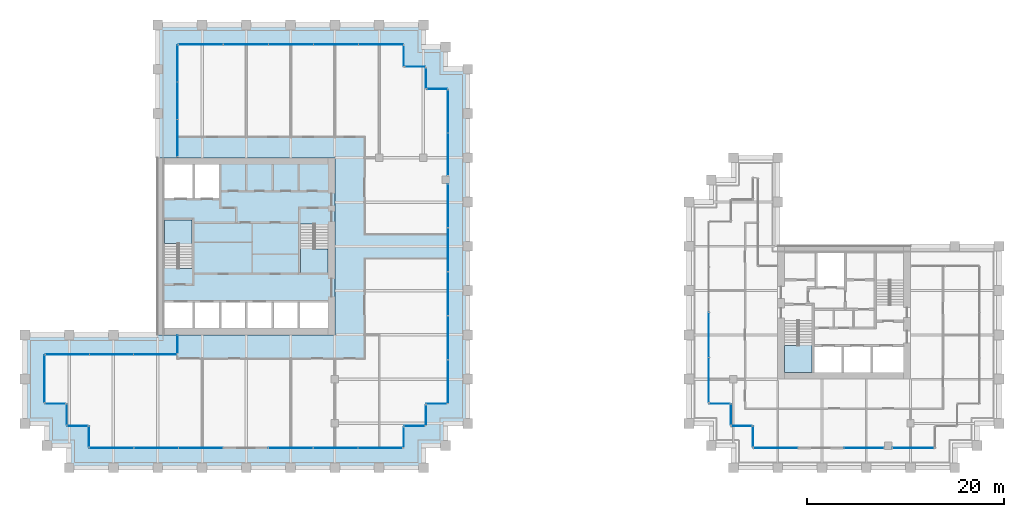
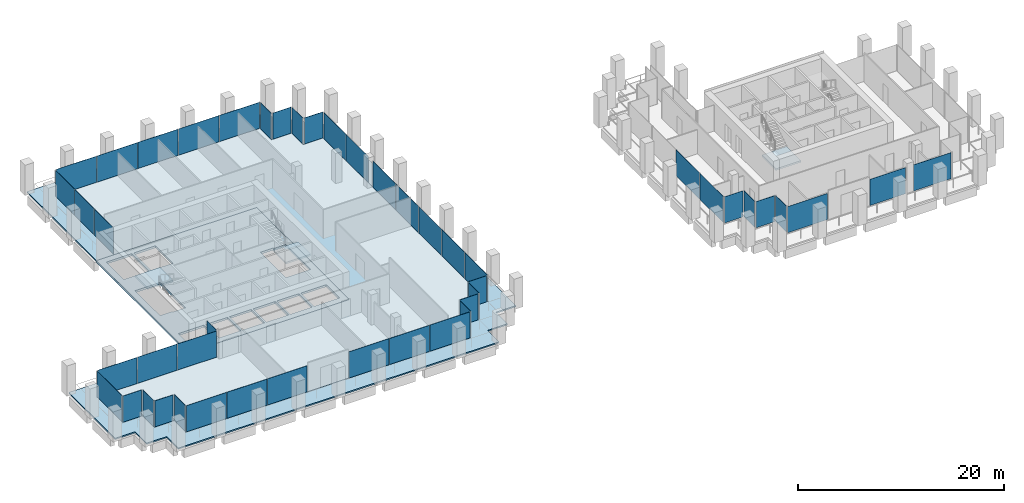
# One storey, part 39 of 46: 47 plates, 6 slabs, 32 elements without a shape of their own.
"""IFC4 building model written with IfcOpenShell, lengths in metres."""

from ifc_helpers import new_model, si_unit, direction, frame, origin, origin_2d, place, context, subcontext, project, spatial, polyline, rectangle, outline, extrude, material, layer, layer_set, type_object, element, aggregate, save


model = new_model("IFC4")

# Units and contexts
model_context = context("Model", 3, precision=1e-05, world=origin(), true_north=direction((0.0, 1.0)))
body_context = subcontext(model_context, "Body", "Model", "MODEL_VIEW")
ifc_project = project(units=[si_unit("LENGTHUNIT", "METRE"), si_unit("AREAUNIT", "SQUARE_METRE"), si_unit("VOLUMEUNIT", "CUBIC_METRE"), si_unit("PLANEANGLEUNIT", "RADIAN"), si_unit("MASSUNIT", "GRAM", prefix="KILO")], contexts=[model_context])

# Site, building, storey
site_placement = place(None, origin())
site = spatial("IfcSite", under=ifc_project, at=site_placement, CompositionType="ELEMENT")
building_placement = place(site_placement, origin())
building = spatial("IfcBuilding", under=site, at=building_placement, Name="Altepetl Exchange Towers", CompositionType="ELEMENT")
storey_placement = place(building_placement, frame((0.0, 0.0, 120.800048828125)))
storey = spatial("IfcBuildingStorey", under=building, at=storey_placement, Name="L29", CompositionType="ELEMENT", Elevation=120.800048828125)

# Slabs
ifc_material_1 = material(Name="Concrete C40/50", Category="concrete")
ifc_layer_1 = layer(ifc_material_1, 0.14990234375)
ifc_layer_set_1 = layer_set([ifc_layer_1], Name="Concrete C40/50")
slab_type_1 = type_object("IfcSlabType", Name="Composite floor slab 150", PredefinedType="FLOOR", material=ifc_layer_set_1)
slab_1_placement = place(storey_placement, frame((0.0, 0.0, -0.150146484375)))
element("IfcSlab", 1, at=slab_1_placement, inside=storey, type_object=slab_type_1, Name="slab:A:L29:strip0", PredefinedType="FLOOR", context=body_context, shape_type="SweptSolid", body=[
    extrude(outline(polyline([(42.5, 70.0), (42.5, 58.5), (58.5, 58.5), (58.5, 40.5), (42.5, 40.5), (42.5, 38.5), (29.0, 38.5), (29.0, 33.5), (31.25, 33.5), (31.25, 31.25), (33.5, 31.25), (33.5, 29.0), (65.5, 29.0), (65.5, 31.25), (67.75, 31.25), (67.75, 33.5), (70.0, 33.5), (70.0, 65.5), (67.75, 65.5), (67.75, 67.75), (65.5, 67.75), (65.5, 70.0), (42.5, 70.0)])), origin(), (0.0, 0.0, 1.0), 0.150146484375),
])
ifc_layer_2 = layer(ifc_material_1, 0.25)
ifc_layer_set_2 = layer_set([ifc_layer_2], Name="Concrete C40/50")
slab_type_2 = type_object("IfcSlabType", Name="Core floor slab 250", PredefinedType="FLOOR", material=ifc_layer_set_2)
slab_2_placement = place(storey_placement, frame((0.0, 0.0, -0.25)))
element("IfcSlab", 2, at=slab_2_placement, inside=storey, type_object=slab_type_2, Name="slab:A:L29:core0", PredefinedType="FLOOR", context=body_context, shape_type="SweptSolid", body=[
    extrude(outline(polyline([(40.5, 40.5), (58.5, 40.5), (58.5, 58.5), (40.5, 58.5), (40.5, 40.5)]), holes=[polyline([(41.199951171875, 43.800048828125), (44.06689453125, 43.800048828125), (44.06689453125, 41.199951171875), (41.199951171875, 41.199951171875), (41.199951171875, 43.800048828125)]), polyline([(44.26708984375, 43.800048828125), (46.73291015625, 43.800048828125), (46.73291015625, 41.199951171875), (44.26708984375, 41.199951171875), (44.26708984375, 43.800048828125)]), polyline([(46.93310546875, 43.800048828125), (49.39990234375, 43.800048828125), (49.39990234375, 41.199951171875), (46.93310546875, 41.199951171875), (46.93310546875, 43.800048828125)]), polyline([(52.06689453125, 43.800048828125), (52.06689453125, 41.199951171875), (49.60009765625, 41.199951171875), (49.60009765625, 43.800048828125), (52.06689453125, 43.800048828125)]), polyline([(54.73291015625, 43.800048828125), (54.73291015625, 41.199951171875), (52.26708984375, 41.199951171875), (52.26708984375, 43.800048828125), (54.73291015625, 43.800048828125)]), polyline([(54.93310546875, 43.800048828125), (57.800048828125, 43.800048828125), (57.800048828125, 41.199951171875), (54.93310546875, 41.199951171875), (54.93310546875, 43.800048828125)]), polyline([(55.0, 51.7490234375), (56.449951171875, 51.7490234375), (56.449951171875, 51.64990234375), (57.800048828125, 51.64990234375), (57.800048828125, 46.800048828125), (55.0, 46.800048828125), (55.0, 51.7490234375)]), polyline([(44.0, 47.2509765625), (42.550048828125, 47.2509765625), (42.550048828125, 47.35009765625), (41.199951171875, 47.35009765625), (41.199951171875, 52.199951171875), (44.0, 52.199951171875), (44.0, 47.2509765625)]), polyline([(44.06689453125, 57.800048828125), (44.06689453125, 54.39990234375), (41.199951171875, 54.39990234375), (41.199951171875, 57.800048828125), (44.06689453125, 57.800048828125)]), polyline([(46.73291015625, 57.800048828125), (46.73291015625, 54.39990234375), (44.26708984375, 54.39990234375), (44.26708984375, 57.800048828125), (46.73291015625, 57.800048828125)])]), origin(), (0.0, 0.0, 1.0), 0.25),
])

# Curtain wall, plate
ifc_material_2 = material(Name="Aluminium 6063-T6 glazing", Category="aluminium")
curtain_wall_type = type_object("IfcCurtainWallType", Name="Loggia glazing system", PredefinedType="NOTDEFINED", material=ifc_material_2)
curtain_wall_1_placement = place(storey_placement, origin())
curtain_wall_1 = element("IfcCurtainWall", 3, at=curtain_wall_1_placement, inside=storey, type_object=curtain_wall_type, Name="CW1 run", PredefinedType="NOTDEFINED")
ifc_material_3 = material(Name="Glass 6-16-6 low emissivity", Category="glass")
ifc_layer_3 = layer(ifc_material_3, 0.028076171875)
ifc_layer_set_3 = layer_set([ifc_layer_3], Name="Glass 6-16-6 low emissivity")
plate_type = type_object("IfcPlateType", Name="Glass panel 28 double glazed", PredefinedType="CURTAIN_PANEL", material=ifc_layer_set_3)
plate_1_placement = place(storey_placement, frame((42.5, 39.53759765625, 0.0), z_axis=(0.0, 0.0, 1.0), x_axis=(0.0, -1.0, 0.0)))
plate_1 = element("IfcPlate", 4, at=plate_1_placement, type_object=plate_type, Name="GP1 panel", PredefinedType="CURTAIN_PANEL", context=body_context, shape_type="SweptSolid", body=[
    extrude(rectangle(XDim=1.804931640625, YDim=0.028076171875, at=origin_2d()), origin(), (0.0, 0.0, 1.0), 3.10009765625),
])
aggregate(curtain_wall_1, [plate_1])

# Curtain wall, plates
curtain_wall_2_placement = place(storey_placement, origin())
curtain_wall_2 = element("IfcCurtainWall", 5, at=curtain_wall_2_placement, inside=storey, type_object=curtain_wall_type, Name="CW1 run", PredefinedType="NOTDEFINED")
plate_2_placement = place(storey_placement, frame((40.24755859375, 38.5, 0.0), z_axis=(0.0, 0.0, 1.0), x_axis=(-1.0, 0.0, 0.0)))
plate_2 = element("IfcPlate", 6, at=plate_2_placement, type_object=plate_type, Name="GP1 panel", PredefinedType="CURTAIN_PANEL", context=body_context, shape_type="SweptSolid", body=[
    extrude(rectangle(XDim=4.385009765625, YDim=0.028076171875, at=origin_2d()), origin(), (0.0, 0.0, 1.0), 3.10009765625),
])
plate_3_placement = place(storey_placement, frame((35.78759765625, 38.5, 0.0), z_axis=(0.0, 0.0, 1.0), x_axis=(-1.0, 0.0, 0.0)))
plate_3 = element("IfcPlate", 7, at=plate_3_placement, type_object=plate_type, Name="GP1 panel", PredefinedType="CURTAIN_PANEL", context=body_context, shape_type="SweptSolid", body=[
    extrude(rectangle(XDim=4.4150390625, YDim=0.028076171875, at=origin_2d()), origin(), (0.0, 0.0, 1.0), 3.10009765625),
])
plate_4_placement = place(storey_placement, frame((31.327392578125, 38.5, 0.0), z_axis=(0.0, 0.0, 1.0), x_axis=(-1.0, 0.0, 0.0)))
plate_4 = element("IfcPlate", 8, at=plate_4_placement, type_object=plate_type, Name="GP1 panel", PredefinedType="CURTAIN_PANEL", context=body_context, shape_type="SweptSolid", body=[
    extrude(rectangle(XDim=4.385009765625, YDim=0.028076171875, at=origin_2d()), origin(), (0.0, 0.0, 1.0), 3.10009765625),
])
aggregate(curtain_wall_2, [plate_2, plate_3, plate_4])

# Curtain wall, plate
curtain_wall_3_placement = place(storey_placement, origin())
curtain_wall_3 = element("IfcCurtainWall", 9, at=curtain_wall_3_placement, inside=storey, type_object=curtain_wall_type, Name="CW1 run", PredefinedType="NOTDEFINED")
plate_5_placement = place(storey_placement, frame((29.0, 36.03759765625, 0.0), z_axis=(0.0, 0.0, 1.0), x_axis=(0.0, -1.0, 0.0)))
plate_5 = element("IfcPlate", 10, at=plate_5_placement, type_object=plate_type, Name="GP1 panel", PredefinedType="CURTAIN_PANEL", context=body_context, shape_type="SweptSolid", body=[
    extrude(rectangle(XDim=4.804931640625, YDim=0.028076171875, at=origin_2d()), origin(), (0.0, 0.0, 1.0), 3.10009765625),
])
aggregate(curtain_wall_3, [plate_5])

curtain_wall_4_placement = place(storey_placement, origin())
curtain_wall_4 = element("IfcCurtainWall", 11, at=curtain_wall_4_placement, inside=storey, type_object=curtain_wall_type, Name="CW1 run", PredefinedType="NOTDEFINED")
plate_6_placement = place(storey_placement, frame((30.08740234375, 33.5, 0.0)))
plate_6 = element("IfcPlate", 12, at=plate_6_placement, type_object=plate_type, Name="GP1 panel", PredefinedType="CURTAIN_PANEL", context=body_context, shape_type="SweptSolid", body=[
    extrude(rectangle(XDim=2.054931640625, YDim=0.028076171875, at=origin_2d()), origin(), (0.0, 0.0, 1.0), 3.10009765625),
])
aggregate(curtain_wall_4, [plate_6])

curtain_wall_5_placement = place(storey_placement, origin())
curtain_wall_5 = element("IfcCurtainWall", 13, at=curtain_wall_5_placement, inside=storey, type_object=curtain_wall_type, Name="CW1 run", PredefinedType="NOTDEFINED")
plate_7_placement = place(storey_placement, frame((31.25, 32.41259765625, 0.0), z_axis=(0.0, 0.0, 1.0), x_axis=(0.0, -1.0, 0.0)))
plate_7 = element("IfcPlate", 14, at=plate_7_placement, type_object=plate_type, Name="GP1 panel", PredefinedType="CURTAIN_PANEL", context=body_context, shape_type="SweptSolid", body=[
    extrude(rectangle(XDim=2.054931640625, YDim=0.028076171875, at=origin_2d()), origin(), (0.0, 0.0, 1.0), 3.10009765625),
])
aggregate(curtain_wall_5, [plate_7])

curtain_wall_6_placement = place(storey_placement, origin())
curtain_wall_6 = element("IfcCurtainWall", 15, at=curtain_wall_6_placement, inside=storey, type_object=curtain_wall_type, Name="CW1 run", PredefinedType="NOTDEFINED")
plate_8_placement = place(storey_placement, frame((32.33740234375, 31.25, 0.0)))
plate_8 = element("IfcPlate", 16, at=plate_8_placement, type_object=plate_type, Name="GP1 panel", PredefinedType="CURTAIN_PANEL", context=body_context, shape_type="SweptSolid", body=[
    extrude(rectangle(XDim=2.054931640625, YDim=0.028076171875, at=origin_2d()), origin(), (0.0, 0.0, 1.0), 3.10009765625),
])
aggregate(curtain_wall_6, [plate_8])

curtain_wall_7_placement = place(storey_placement, origin())
curtain_wall_7 = element("IfcCurtainWall", 17, at=curtain_wall_7_placement, inside=storey, type_object=curtain_wall_type, Name="CW1 run", PredefinedType="NOTDEFINED")
plate_9_placement = place(storey_placement, frame((33.5, 30.16259765625, 0.0), z_axis=(0.0, 0.0, 1.0), x_axis=(0.0, -1.0, 0.0)))
plate_9 = element("IfcPlate", 18, at=plate_9_placement, type_object=plate_type, Name="GP1 panel", PredefinedType="CURTAIN_PANEL", context=body_context, shape_type="SweptSolid", body=[
    extrude(rectangle(XDim=2.054931640625, YDim=0.028076171875, at=origin_2d()), origin(), (0.0, 0.0, 1.0), 3.10009765625),
])
aggregate(curtain_wall_7, [plate_9])

# Curtain wall, plates
curtain_wall_8_placement = place(storey_placement, origin())
curtain_wall_8 = element("IfcCurtainWall", 19, at=curtain_wall_8_placement, inside=storey, type_object=curtain_wall_type, Name="CW1 run", PredefinedType="NOTDEFINED")
plate_10_placement = place(storey_placement, frame((35.79541015625, 29.0, 0.0)))
plate_10 = element("IfcPlate", 20, at=plate_10_placement, type_object=plate_type, Name="GP1 panel", PredefinedType="CURTAIN_PANEL", context=body_context, shape_type="SweptSolid", body=[
    extrude(rectangle(XDim=4.470703125, YDim=0.028076171875, at=origin_2d()), origin(), (0.0, 0.0, 1.0), 3.10009765625),
])
plate_11_placement = place(storey_placement, frame((40.341064453125, 29.0, 0.0)))
plate_11 = element("IfcPlate", 21, at=plate_11_placement, type_object=plate_type, Name="GP1 panel", PredefinedType="CURTAIN_PANEL", context=body_context, shape_type="SweptSolid", body=[
    extrude(rectangle(XDim=4.500732421875, YDim=0.028076171875, at=origin_2d()), origin(), (0.0, 0.0, 1.0), 3.10009765625),
])
plate_12_placement = place(storey_placement, frame((44.88671875, 29.0, 0.0)))
plate_12 = element("IfcPlate", 22, at=plate_12_placement, type_object=plate_type, Name="GP1 panel", PredefinedType="CURTAIN_PANEL", context=body_context, shape_type="SweptSolid", body=[
    extrude(rectangle(XDim=4.470703125, YDim=0.028076171875, at=origin_2d()), origin(), (0.0, 0.0, 1.0), 3.10009765625),
])
aggregate(curtain_wall_8, [plate_10, plate_11, plate_12])

curtain_wall_9_placement = place(storey_placement, origin())
curtain_wall_9 = element("IfcCurtainWall", 23, at=curtain_wall_9_placement, inside=storey, type_object=curtain_wall_type, Name="CW1 run", PredefinedType="NOTDEFINED")
plate_13_placement = place(storey_placement, frame((54.038330078125, 29.0, 0.0)))
plate_13 = element("IfcPlate", 24, at=plate_13_placement, type_object=plate_type, Name="GP1 panel", PredefinedType="CURTAIN_PANEL", context=body_context, shape_type="SweptSolid", body=[
    extrude(rectangle(XDim=4.470703125, YDim=0.028076171875, at=origin_2d()), origin(), (0.0, 0.0, 1.0), 3.10009765625),
])
plate_14_placement = place(storey_placement, frame((58.583984375, 29.0, 0.0)))
plate_14 = element("IfcPlate", 25, at=plate_14_placement, type_object=plate_type, Name="GP1 panel", PredefinedType="CURTAIN_PANEL", context=body_context, shape_type="SweptSolid", body=[
    extrude(rectangle(XDim=4.500732421875, YDim=0.028076171875, at=origin_2d()), origin(), (0.0, 0.0, 1.0), 3.10009765625),
])
plate_15_placement = place(storey_placement, frame((63.129638671875, 29.0, 0.0)))
plate_15 = element("IfcPlate", 26, at=plate_15_placement, type_object=plate_type, Name="GP1 panel", PredefinedType="CURTAIN_PANEL", context=body_context, shape_type="SweptSolid", body=[
    extrude(rectangle(XDim=4.470703125, YDim=0.028076171875, at=origin_2d()), origin(), (0.0, 0.0, 1.0), 3.10009765625),
])
aggregate(curtain_wall_9, [plate_13, plate_14, plate_15])

# Curtain wall, plate
curtain_wall_10_placement = place(storey_placement, origin())
curtain_wall_10 = element("IfcCurtainWall", 27, at=curtain_wall_10_placement, inside=storey, type_object=curtain_wall_type, Name="CW1 run", PredefinedType="NOTDEFINED")
plate_16_placement = place(storey_placement, frame((65.5, 30.08740234375, 0.0), z_axis=(0.0, 0.0, 1.0), x_axis=(0.0, 1.0, 0.0)))
plate_16 = element("IfcPlate", 28, at=plate_16_placement, type_object=plate_type, Name="GP1 panel", PredefinedType="CURTAIN_PANEL", context=body_context, shape_type="SweptSolid", body=[
    extrude(rectangle(XDim=2.054931640625, YDim=0.028076171875, at=origin_2d()), origin(), (0.0, 0.0, 1.0), 3.10009765625),
])
aggregate(curtain_wall_10, [plate_16])

curtain_wall_11_placement = place(storey_placement, origin())
curtain_wall_11 = element("IfcCurtainWall", 29, at=curtain_wall_11_placement, inside=storey, type_object=curtain_wall_type, Name="CW1 run", PredefinedType="NOTDEFINED")
plate_17_placement = place(storey_placement, frame((66.58740234375, 31.25, 0.0)))
plate_17 = element("IfcPlate", 30, at=plate_17_placement, type_object=plate_type, Name="GP1 panel", PredefinedType="CURTAIN_PANEL", context=body_context, shape_type="SweptSolid", body=[
    extrude(rectangle(XDim=2.054931640625, YDim=0.028076171875, at=origin_2d()), origin(), (0.0, 0.0, 1.0), 3.10009765625),
])
aggregate(curtain_wall_11, [plate_17])

curtain_wall_12_placement = place(storey_placement, origin())
curtain_wall_12 = element("IfcCurtainWall", 31, at=curtain_wall_12_placement, inside=storey, type_object=curtain_wall_type, Name="CW1 run", PredefinedType="NOTDEFINED")
plate_18_placement = place(storey_placement, frame((67.75, 32.33740234375, 0.0), z_axis=(0.0, 0.0, 1.0), x_axis=(0.0, 1.0, 0.0)))
plate_18 = element("IfcPlate", 32, at=plate_18_placement, type_object=plate_type, Name="GP1 panel", PredefinedType="CURTAIN_PANEL", context=body_context, shape_type="SweptSolid", body=[
    extrude(rectangle(XDim=2.054931640625, YDim=0.028076171875, at=origin_2d()), origin(), (0.0, 0.0, 1.0), 3.10009765625),
])
aggregate(curtain_wall_12, [plate_18])

curtain_wall_13_placement = place(storey_placement, origin())
curtain_wall_13 = element("IfcCurtainWall", 33, at=curtain_wall_13_placement, inside=storey, type_object=curtain_wall_type, Name="CW1 run", PredefinedType="NOTDEFINED")
plate_19_placement = place(storey_placement, frame((68.83740234375, 33.5, 0.0)))
plate_19 = element("IfcPlate", 34, at=plate_19_placement, type_object=plate_type, Name="GP1 panel", PredefinedType="CURTAIN_PANEL", context=body_context, shape_type="SweptSolid", body=[
    extrude(rectangle(XDim=2.054931640625, YDim=0.028076171875, at=origin_2d()), origin(), (0.0, 0.0, 1.0), 3.10009765625),
])
aggregate(curtain_wall_13, [plate_19])

# Curtain wall, plates
curtain_wall_14_placement = place(storey_placement, origin())
curtain_wall_14 = element("IfcCurtainWall", 35, at=curtain_wall_14_placement, inside=storey, type_object=curtain_wall_type, Name="CW1 run", PredefinedType="NOTDEFINED")
plate_20_placement = place(storey_placement, frame((70.0, 35.75048828125, 0.0), z_axis=(0.0, 0.0, 1.0), x_axis=(0.0, 1.0, 0.0)))
plate_20 = element("IfcPlate", 36, at=plate_20_placement, type_object=plate_type, Name="GP1 panel", PredefinedType="CURTAIN_PANEL", context=body_context, shape_type="SweptSolid", body=[
    extrude(rectangle(XDim=4.381103515625, YDim=0.028076171875, at=origin_2d()), origin(), (0.0, 0.0, 1.0), 3.10009765625),
])
plate_21_placement = place(storey_placement, frame((70.0, 40.20654296875, 0.0), z_axis=(0.0, 0.0, 1.0), x_axis=(0.0, 1.0, 0.0)))
plate_21 = element("IfcPlate", 37, at=plate_21_placement, type_object=plate_type, Name="GP1 panel", PredefinedType="CURTAIN_PANEL", context=body_context, shape_type="SweptSolid", body=[
    extrude(rectangle(XDim=4.410888671875, YDim=0.028076171875, at=origin_2d()), origin(), (0.0, 0.0, 1.0), 3.10009765625),
])
plate_22_placement = place(storey_placement, frame((70.0, 44.677490234375, 0.0), z_axis=(0.0, 0.0, 1.0), x_axis=(0.0, 1.0, 0.0)))
plate_22 = element("IfcPlate", 38, at=plate_22_placement, type_object=plate_type, Name="GP1 panel", PredefinedType="CURTAIN_PANEL", context=body_context, shape_type="SweptSolid", body=[
    extrude(rectangle(XDim=4.410888671875, YDim=0.028076171875, at=origin_2d()), origin(), (0.0, 0.0, 1.0), 3.10009765625),
])
plate_23_placement = place(storey_placement, frame((70.0, 49.1484375, 0.0), z_axis=(0.0, 0.0, 1.0), x_axis=(0.0, 1.0, 0.0)))
plate_23 = element("IfcPlate", 39, at=plate_23_placement, type_object=plate_type, Name="GP1 panel", PredefinedType="CURTAIN_PANEL", context=body_context, shape_type="SweptSolid", body=[
    extrude(rectangle(XDim=4.410888671875, YDim=0.028076171875, at=origin_2d()), origin(), (0.0, 0.0, 1.0), 3.10009765625),
])
plate_24_placement = place(storey_placement, frame((70.0, 53.6044921875, 0.0), z_axis=(0.0, 0.0, 1.0), x_axis=(0.0, 1.0, 0.0)))
plate_24 = element("IfcPlate", 40, at=plate_24_placement, type_object=plate_type, Name="GP1 panel", PredefinedType="CURTAIN_PANEL", context=body_context, shape_type="SweptSolid", body=[
    extrude(rectangle(XDim=4.381103515625, YDim=0.028076171875, at=origin_2d()), origin(), (0.0, 0.0, 1.0), 3.10009765625),
])
aggregate(curtain_wall_14, [plate_20, plate_21, plate_22, plate_23, plate_24])

curtain_wall_15_placement = place(storey_placement, origin())
curtain_wall_15 = element("IfcCurtainWall", 41, at=curtain_wall_15_placement, inside=storey, type_object=curtain_wall_type, Name="CW1 run", PredefinedType="NOTDEFINED")
plate_25_placement = place(storey_placement, frame((70.0, 58.85498046875, 0.0), z_axis=(0.0, 0.0, 1.0), x_axis=(0.0, 1.0, 0.0)))
plate_25 = element("IfcPlate", 42, at=plate_25_placement, type_object=plate_type, Name="GP1 panel", PredefinedType="CURTAIN_PANEL", context=body_context, shape_type="SweptSolid", body=[
    extrude(rectangle(XDim=4.300048828125, YDim=0.028076171875, at=origin_2d()), origin(), (0.0, 0.0, 1.0), 3.10009765625),
])
plate_26_placement = place(storey_placement, frame((70.0, 63.215087890625, 0.0), z_axis=(0.0, 0.0, 1.0), x_axis=(0.0, 1.0, 0.0)))
plate_26 = element("IfcPlate", 43, at=plate_26_placement, type_object=plate_type, Name="GP1 panel", PredefinedType="CURTAIN_PANEL", context=body_context, shape_type="SweptSolid", body=[
    extrude(rectangle(XDim=4.300048828125, YDim=0.028076171875, at=origin_2d()), origin(), (0.0, 0.0, 1.0), 3.10009765625),
])
aggregate(curtain_wall_15, [plate_25, plate_26])

# Curtain wall, plate
curtain_wall_16_placement = place(storey_placement, origin())
curtain_wall_16 = element("IfcCurtainWall", 44, at=curtain_wall_16_placement, inside=storey, type_object=curtain_wall_type, Name="CW1 run", PredefinedType="NOTDEFINED")
plate_27_placement = place(storey_placement, frame((68.91259765625, 65.5, 0.0), z_axis=(0.0, 0.0, 1.0), x_axis=(-1.0, 0.0, 0.0)))
plate_27 = element("IfcPlate", 45, at=plate_27_placement, type_object=plate_type, Name="GP1 panel", PredefinedType="CURTAIN_PANEL", context=body_context, shape_type="SweptSolid", body=[
    extrude(rectangle(XDim=2.054931640625, YDim=0.028076171875, at=origin_2d()), origin(), (0.0, 0.0, 1.0), 3.10009765625),
])
aggregate(curtain_wall_16, [plate_27])

curtain_wall_17_placement = place(storey_placement, origin())
curtain_wall_17 = element("IfcCurtainWall", 46, at=curtain_wall_17_placement, inside=storey, type_object=curtain_wall_type, Name="CW1 run", PredefinedType="NOTDEFINED")
plate_28_placement = place(storey_placement, frame((67.75, 66.58740234375, 0.0), z_axis=(0.0, 0.0, 1.0), x_axis=(0.0, 1.0, 0.0)))
plate_28 = element("IfcPlate", 47, at=plate_28_placement, type_object=plate_type, Name="GP1 panel", PredefinedType="CURTAIN_PANEL", context=body_context, shape_type="SweptSolid", body=[
    extrude(rectangle(XDim=2.054931640625, YDim=0.028076171875, at=origin_2d()), origin(), (0.0, 0.0, 1.0), 3.10009765625),
])
aggregate(curtain_wall_17, [plate_28])

curtain_wall_18_placement = place(storey_placement, origin())
curtain_wall_18 = element("IfcCurtainWall", 48, at=curtain_wall_18_placement, inside=storey, type_object=curtain_wall_type, Name="CW1 run", PredefinedType="NOTDEFINED")
plate_29_placement = place(storey_placement, frame((66.66259765625, 67.75, 0.0), z_axis=(0.0, 0.0, 1.0), x_axis=(-1.0, 0.0, 0.0)))
plate_29 = element("IfcPlate", 49, at=plate_29_placement, type_object=plate_type, Name="GP1 panel", PredefinedType="CURTAIN_PANEL", context=body_context, shape_type="SweptSolid", body=[
    extrude(rectangle(XDim=2.054931640625, YDim=0.028076171875, at=origin_2d()), origin(), (0.0, 0.0, 1.0), 3.10009765625),
])
aggregate(curtain_wall_18, [plate_29])

curtain_wall_19_placement = place(storey_placement, origin())
curtain_wall_19 = element("IfcCurtainWall", 50, at=curtain_wall_19_placement, inside=storey, type_object=curtain_wall_type, Name="CW1 run", PredefinedType="NOTDEFINED")
plate_30_placement = place(storey_placement, frame((65.5, 68.83740234375, 0.0), z_axis=(0.0, 0.0, 1.0), x_axis=(0.0, 1.0, 0.0)))
plate_30 = element("IfcPlate", 51, at=plate_30_placement, type_object=plate_type, Name="GP1 panel", PredefinedType="CURTAIN_PANEL", context=body_context, shape_type="SweptSolid", body=[
    extrude(rectangle(XDim=2.054931640625, YDim=0.028076171875, at=origin_2d()), origin(), (0.0, 0.0, 1.0), 3.10009765625),
])
aggregate(curtain_wall_19, [plate_30])

# Curtain wall, plates
curtain_wall_20_placement = place(storey_placement, origin())
curtain_wall_20 = element("IfcCurtainWall", 52, at=curtain_wall_20_placement, inside=storey, type_object=curtain_wall_type, Name="CW1 run", PredefinedType="NOTDEFINED")
plate_31_placement = place(storey_placement, frame((63.1923828125, 70.0, 0.0), z_axis=(0.0, 0.0, 1.0), x_axis=(-1.0, 0.0, 0.0)))
plate_31 = element("IfcPlate", 53, at=plate_31_placement, type_object=plate_type, Name="GP1 panel", PredefinedType="CURTAIN_PANEL", context=body_context, shape_type="SweptSolid", body=[
    extrude(rectangle(XDim=4.4951171875, YDim=0.028076171875, at=origin_2d()), origin(), (0.0, 0.0, 1.0), 3.10009765625),
])
plate_32_placement = place(storey_placement, frame((58.62255859375, 70.0, 0.0), z_axis=(0.0, 0.0, 1.0), x_axis=(-1.0, 0.0, 0.0)))
plate_32 = element("IfcPlate", 54, at=plate_32_placement, type_object=plate_type, Name="GP1 panel", PredefinedType="CURTAIN_PANEL", context=body_context, shape_type="SweptSolid", body=[
    extrude(rectangle(XDim=4.52490234375, YDim=0.028076171875, at=origin_2d()), origin(), (0.0, 0.0, 1.0), 3.10009765625),
])
plate_33_placement = place(storey_placement, frame((54.03759765625, 70.0, 0.0), z_axis=(0.0, 0.0, 1.0), x_axis=(-1.0, 0.0, 0.0)))
plate_33 = element("IfcPlate", 55, at=plate_33_placement, type_object=plate_type, Name="GP1 panel", PredefinedType="CURTAIN_PANEL", context=body_context, shape_type="SweptSolid", body=[
    extrude(rectangle(XDim=4.52490234375, YDim=0.028076171875, at=origin_2d()), origin(), (0.0, 0.0, 1.0), 3.10009765625),
])
plate_34_placement = place(storey_placement, frame((49.452392578125, 70.0, 0.0), z_axis=(0.0, 0.0, 1.0), x_axis=(-1.0, 0.0, 0.0)))
plate_34 = element("IfcPlate", 56, at=plate_34_placement, type_object=plate_type, Name="GP1 panel", PredefinedType="CURTAIN_PANEL", context=body_context, shape_type="SweptSolid", body=[
    extrude(rectangle(XDim=4.52490234375, YDim=0.028076171875, at=origin_2d()), origin(), (0.0, 0.0, 1.0), 3.10009765625),
])
plate_35_placement = place(storey_placement, frame((44.882568359375, 70.0, 0.0), z_axis=(0.0, 0.0, 1.0), x_axis=(-1.0, 0.0, 0.0)))
plate_35 = element("IfcPlate", 57, at=plate_35_placement, type_object=plate_type, Name="GP1 panel", PredefinedType="CURTAIN_PANEL", context=body_context, shape_type="SweptSolid", body=[
    extrude(rectangle(XDim=4.4951171875, YDim=0.028076171875, at=origin_2d()), origin(), (0.0, 0.0, 1.0), 3.10009765625),
])
aggregate(curtain_wall_20, [plate_31, plate_32, plate_33, plate_34, plate_35])

curtain_wall_21_placement = place(storey_placement, origin())
curtain_wall_21 = element("IfcCurtainWall", 58, at=curtain_wall_21_placement, inside=storey, type_object=curtain_wall_type, Name="CW1 run", PredefinedType="NOTDEFINED")
plate_36_placement = place(storey_placement, frame((42.5, 68.080810546875, 0.0), z_axis=(0.0, 0.0, 1.0), x_axis=(0.0, -1.0, 0.0)))
plate_36 = element("IfcPlate", 59, at=plate_36_placement, type_object=plate_type, Name="GP1 panel", PredefinedType="CURTAIN_PANEL", context=body_context, shape_type="SweptSolid", body=[
    extrude(rectangle(XDim=3.71826171875, YDim=0.028076171875, at=origin_2d()), origin(), (0.0, 0.0, 1.0), 3.10009765625),
])
plate_37_placement = place(storey_placement, frame((42.5, 64.28759765625, 0.0), z_axis=(0.0, 0.0, 1.0), x_axis=(0.0, -1.0, 0.0)))
plate_37 = element("IfcPlate", 60, at=plate_37_placement, type_object=plate_type, Name="GP1 panel", PredefinedType="CURTAIN_PANEL", context=body_context, shape_type="SweptSolid", body=[
    extrude(rectangle(XDim=3.748291015625, YDim=0.028076171875, at=origin_2d()), origin(), (0.0, 0.0, 1.0), 3.10009765625),
])
plate_38_placement = place(storey_placement, frame((42.5, 60.494140625, 0.0), z_axis=(0.0, 0.0, 1.0), x_axis=(0.0, -1.0, 0.0)))
plate_38 = element("IfcPlate", 61, at=plate_38_placement, type_object=plate_type, Name="GP1 panel", PredefinedType="CURTAIN_PANEL", context=body_context, shape_type="SweptSolid", body=[
    extrude(rectangle(XDim=3.71826171875, YDim=0.028076171875, at=origin_2d()), origin(), (0.0, 0.0, 1.0), 3.10009765625),
])
aggregate(curtain_wall_21, [plate_36, plate_37, plate_38])

curtain_wall_22_placement = place(storey_placement, origin())
curtain_wall_22 = element("IfcCurtainWall", 62, at=curtain_wall_22_placement, inside=storey, type_object=curtain_wall_type, Name="CW1 run", PredefinedType="NOTDEFINED")
plate_39_placement = place(storey_placement, frame((96.5, 40.484375, 0.0), z_axis=(0.0, 0.0, 1.0), x_axis=(0.0, -1.0, 0.0)))
plate_39 = element("IfcPlate", 63, at=plate_39_placement, type_object=plate_type, Name="GP1 panel", PredefinedType="CURTAIN_PANEL", context=body_context, shape_type="SweptSolid", body=[
    extrude(rectangle(XDim=4.546142578125, YDim=0.028076171875, at=origin_2d()), origin(), (0.0, 0.0, 1.0), 3.10009765625),
])
plate_40_placement = place(storey_placement, frame((96.5, 35.89306640625, 0.0), z_axis=(0.0, 0.0, 1.0), x_axis=(0.0, -1.0, 0.0)))
plate_40 = element("IfcPlate", 64, at=plate_40_placement, type_object=plate_type, Name="GP1 panel", PredefinedType="CURTAIN_PANEL", context=body_context, shape_type="SweptSolid", body=[
    extrude(rectangle(XDim=4.516357421875, YDim=0.028076171875, at=origin_2d()), origin(), (0.0, 0.0, 1.0), 3.10009765625),
])
aggregate(curtain_wall_22, [plate_39, plate_40])

# Curtain wall, plate
curtain_wall_23_placement = place(storey_placement, origin())
curtain_wall_23 = element("IfcCurtainWall", 65, at=curtain_wall_23_placement, inside=storey, type_object=curtain_wall_type, Name="CW1 run", PredefinedType="NOTDEFINED")
plate_41_placement = place(storey_placement, frame((97.58740234375, 33.5, 0.0)))
plate_41 = element("IfcPlate", 66, at=plate_41_placement, type_object=plate_type, Name="GP1 panel", PredefinedType="CURTAIN_PANEL", context=body_context, shape_type="SweptSolid", body=[
    extrude(rectangle(XDim=2.054931640625, YDim=0.028076171875, at=origin_2d()), origin(), (0.0, 0.0, 1.0), 3.10009765625),
])
aggregate(curtain_wall_23, [plate_41])

curtain_wall_24_placement = place(storey_placement, origin())
curtain_wall_24 = element("IfcCurtainWall", 67, at=curtain_wall_24_placement, inside=storey, type_object=curtain_wall_type, Name="CW1 run", PredefinedType="NOTDEFINED")
plate_42_placement = place(storey_placement, frame((98.75, 32.41259765625, 0.0), z_axis=(0.0, 0.0, 1.0), x_axis=(0.0, -1.0, 0.0)))
plate_42 = element("IfcPlate", 68, at=plate_42_placement, type_object=plate_type, Name="GP1 panel", PredefinedType="CURTAIN_PANEL", context=body_context, shape_type="SweptSolid", body=[
    extrude(rectangle(XDim=2.054931640625, YDim=0.028076171875, at=origin_2d()), origin(), (0.0, 0.0, 1.0), 3.10009765625),
])
aggregate(curtain_wall_24, [plate_42])

curtain_wall_25_placement = place(storey_placement, origin())
curtain_wall_25 = element("IfcCurtainWall", 69, at=curtain_wall_25_placement, inside=storey, type_object=curtain_wall_type, Name="CW1 run", PredefinedType="NOTDEFINED")
plate_43_placement = place(storey_placement, frame((99.83740234375, 31.25, 0.0)))
plate_43 = element("IfcPlate", 70, at=plate_43_placement, type_object=plate_type, Name="GP1 panel", PredefinedType="CURTAIN_PANEL", context=body_context, shape_type="SweptSolid", body=[
    extrude(rectangle(XDim=2.054931640625, YDim=0.028076171875, at=origin_2d()), origin(), (0.0, 0.0, 1.0), 3.10009765625),
])
aggregate(curtain_wall_25, [plate_43])

curtain_wall_26_placement = place(storey_placement, origin())
curtain_wall_26 = element("IfcCurtainWall", 71, at=curtain_wall_26_placement, inside=storey, type_object=curtain_wall_type, Name="CW1 run", PredefinedType="NOTDEFINED")
plate_44_placement = place(storey_placement, frame((101.0, 30.16259765625, 0.0), z_axis=(0.0, 0.0, 1.0), x_axis=(0.0, -1.0, 0.0)))
plate_44 = element("IfcPlate", 72, at=plate_44_placement, type_object=plate_type, Name="GP1 panel", PredefinedType="CURTAIN_PANEL", context=body_context, shape_type="SweptSolid", body=[
    extrude(rectangle(XDim=2.054931640625, YDim=0.028076171875, at=origin_2d()), origin(), (0.0, 0.0, 1.0), 3.10009765625),
])
aggregate(curtain_wall_26, [plate_44])

curtain_wall_27_placement = place(storey_placement, origin())
curtain_wall_27 = element("IfcCurtainWall", 73, at=curtain_wall_27_placement, inside=storey, type_object=curtain_wall_type, Name="CW1 run", PredefinedType="NOTDEFINED")
plate_45_placement = place(storey_placement, frame((103.30322265625, 29.0, 0.0)))
plate_45 = element("IfcPlate", 74, at=plate_45_placement, type_object=plate_type, Name="GP1 panel", PredefinedType="CURTAIN_PANEL", context=body_context, shape_type="SweptSolid", body=[
    extrude(rectangle(XDim=4.486328125, YDim=0.028076171875, at=origin_2d()), origin(), (0.0, 0.0, 1.0), 3.10009765625),
])
aggregate(curtain_wall_27, [plate_45])

curtain_wall_28_placement = place(storey_placement, origin())
curtain_wall_28 = element("IfcCurtainWall", 75, at=curtain_wall_28_placement, inside=storey, type_object=curtain_wall_type, Name="CW1 run", PredefinedType="NOTDEFINED")
plate_46_placement = place(storey_placement, frame((112.28369140625, 29.0, 0.0)))
plate_46 = element("IfcPlate", 76, at=plate_46_placement, type_object=plate_type, Name="GP1 panel", PredefinedType="CURTAIN_PANEL", context=body_context, shape_type="SweptSolid", body=[
    extrude(rectangle(XDim=4.0224609375, YDim=0.028076171875, at=origin_2d()), origin(), (0.0, 0.0, 1.0), 3.10009765625),
])
aggregate(curtain_wall_28, [plate_46])

curtain_wall_29_placement = place(storey_placement, origin())
curtain_wall_29 = element("IfcCurtainWall", 77, at=curtain_wall_29_placement, inside=storey, type_object=curtain_wall_type, Name="CW1 run", PredefinedType="NOTDEFINED")
plate_47_placement = place(storey_placement, frame((117.284912109375, 29.0, 0.0)))
plate_47 = element("IfcPlate", 78, at=plate_47_placement, type_object=plate_type, Name="GP1 panel", PredefinedType="CURTAIN_PANEL", context=body_context, shape_type="SweptSolid", body=[
    extrude(rectangle(XDim=4.159912109375, YDim=0.028076171875, at=origin_2d()), origin(), (0.0, 0.0, 1.0), 3.10009765625),
])
aggregate(curtain_wall_29, [plate_47])

# Slab
ifc_layer_4 = layer(ifc_material_1, 0.14990234375)
ifc_layer_set_4 = layer_set([ifc_layer_4], Name="Concrete C40/50")
slab_type_3 = type_object("IfcSlabType", Name="Loggia slab 150", PredefinedType="FLOOR", material=ifc_layer_set_4)
slab_3_placement = place(storey_placement, frame((0.0, 0.0, -0.150146484375)))
element("IfcSlab", 79, at=slab_3_placement, inside=storey, type_object=slab_type_3, Name="slab:A:L29:loggia0", PredefinedType="FLOOR", context=body_context, shape_type="SweptSolid", body=[
    extrude(outline(polyline([(40.5, 72.0), (40.5, 58.5), (42.5, 58.5), (42.5, 70.0), (65.5, 70.0), (65.5, 67.75), (67.75, 67.75), (67.75, 65.5), (70.0, 65.5), (70.0, 33.5), (67.75, 33.5), (67.75, 31.25), (65.5, 31.25), (65.5, 29.0), (33.5, 29.0), (33.5, 31.25), (31.25, 31.25), (31.25, 33.5), (29.0, 33.5), (29.0, 38.5), (42.5, 38.5), (42.5, 40.5), (40.5, 40.5), (27.0, 40.5), (27.0, 31.5), (29.25, 31.5), (29.25, 29.25), (31.5, 29.25), (31.5, 27.0), (58.5, 27.0), (67.5, 27.0), (67.5, 29.25), (69.75, 29.25), (69.75, 31.5), (72.0, 31.5), (72.0, 58.5), (72.0, 67.5), (69.75, 67.5), (69.75, 69.75), (67.5, 69.75), (67.5, 72.0), (40.5, 72.0)])), origin(), (0.0, 0.0, 1.0), 0.150146484375),
])

# Stair, slab
stair_type = type_object("IfcStairType", Name="Exit stair 1350 flights dogleg", PredefinedType="HALF_TURN_STAIR", material=ifc_material_1)
stair_1_placement = place(storey_placement, origin())
stair_1 = element("IfcStair", 80, at=stair_1_placement, inside=storey, type_object=stair_type, Name="Exit stair 1", PredefinedType="HALF_TURN_STAIR")
ifc_layer_5 = layer(ifc_material_1, 0.199951171875)
ifc_layer_set_5 = layer_set([ifc_layer_5], Name="Concrete C40/50")
slab_type_4 = type_object("IfcSlabType", Name="Stair landing 200 reinforced concrete", PredefinedType="LANDING", material=ifc_layer_set_5)
slab_4_placement = place(storey_placement, frame((0.0, 0.0, 1.599853515625)))
slab_4 = element("IfcSlab", 81, at=slab_4_placement, type_object=slab_type_4, Name="ST-A1d landing 1", PredefinedType="LANDING", context=body_context, shape_type="SweptSolid", body=[
    extrude(outline(polyline([(44.0, 49.669921875), (42.64990234375, 49.669921875), (42.64990234375, 49.77001953125), (42.550048828125, 49.77001953125), (42.550048828125, 49.769287109375), (41.199951171875, 49.769287109375), (41.199951171875, 49.77001953125), (41.199951171875, 52.199951171875), (44.0, 52.199951171875), (44.0, 49.77001953125), (44.0, 49.669921875)])), origin(), (0.0, 0.0, 1.0), 0.2001953125),
])
aggregate(stair_1, [slab_4])

stair_2_placement = place(storey_placement, origin())
stair_2 = element("IfcStair", 82, at=stair_2_placement, inside=storey, type_object=stair_type, Name="Exit stair 2", PredefinedType="HALF_TURN_STAIR")
slab_5_placement = place(storey_placement, frame((0.0, 0.0, 1.599853515625)))
slab_5 = element("IfcSlab", 83, at=slab_5_placement, type_object=slab_type_4, Name="ST-A2d landing 1", PredefinedType="LANDING", context=body_context, shape_type="SweptSolid", body=[
    extrude(outline(polyline([(57.800048828125, 46.800048828125), (55.0, 46.800048828125), (55.0, 49.22998046875), (55.0, 49.330078125), (56.35009765625, 49.330078125), (56.35009765625, 49.22998046875), (56.449951171875, 49.22998046875), (56.449951171875, 49.230712890625), (57.800048828125, 49.230712890625), (57.800048828125, 49.22998046875), (57.800048828125, 46.800048828125)])), origin(), (0.0, 0.0, 1.0), 0.2001953125),
])
aggregate(stair_2, [slab_5])

stair_3_placement = place(storey_placement, origin())
stair_3 = element("IfcStair", 84, at=stair_3_placement, inside=storey, type_object=stair_type, Name="Exit stair 1", PredefinedType="HALF_TURN_STAIR")
slab_6_placement = place(storey_placement, frame((0.0, 0.0, 1.599853515625)))
slab_6 = element("IfcSlab", 85, at=slab_6_placement, type_object=slab_type_4, Name="ST-B1d landing 1", PredefinedType="LANDING", context=body_context, shape_type="SweptSolid", body=[
    extrude(outline(polyline([(107.0, 36.699951171875), (104.199951171875, 36.699951171875), (104.199951171875, 39.429931640625), (104.199951171875, 39.4306640625), (105.550048828125, 39.4306640625), (105.550048828125, 39.429931640625), (105.64990234375, 39.429931640625), (105.64990234375, 39.530029296875), (107.0, 39.530029296875), (107.0, 39.429931640625), (107.0, 36.699951171875)])), origin(), (0.0, 0.0, 1.0), 0.2001953125),
])
aggregate(stair_3, [slab_6])

save(model, "model.ifc")
